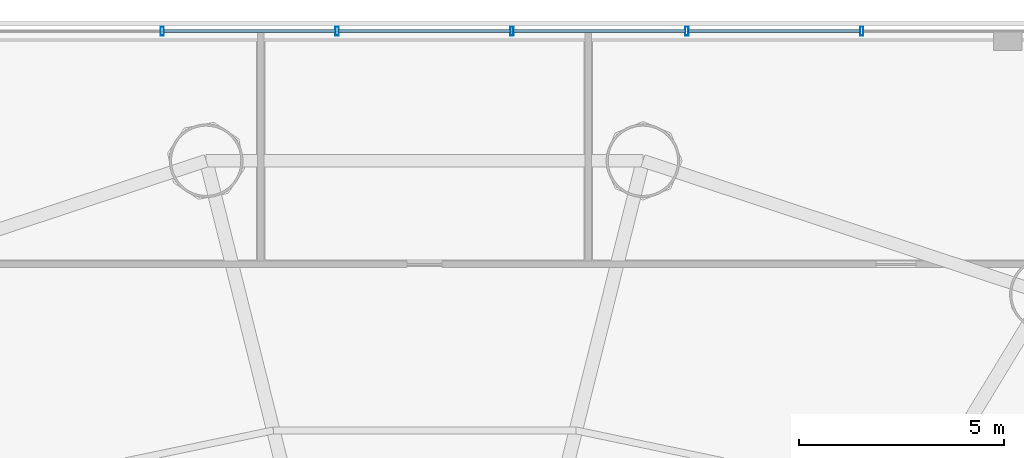
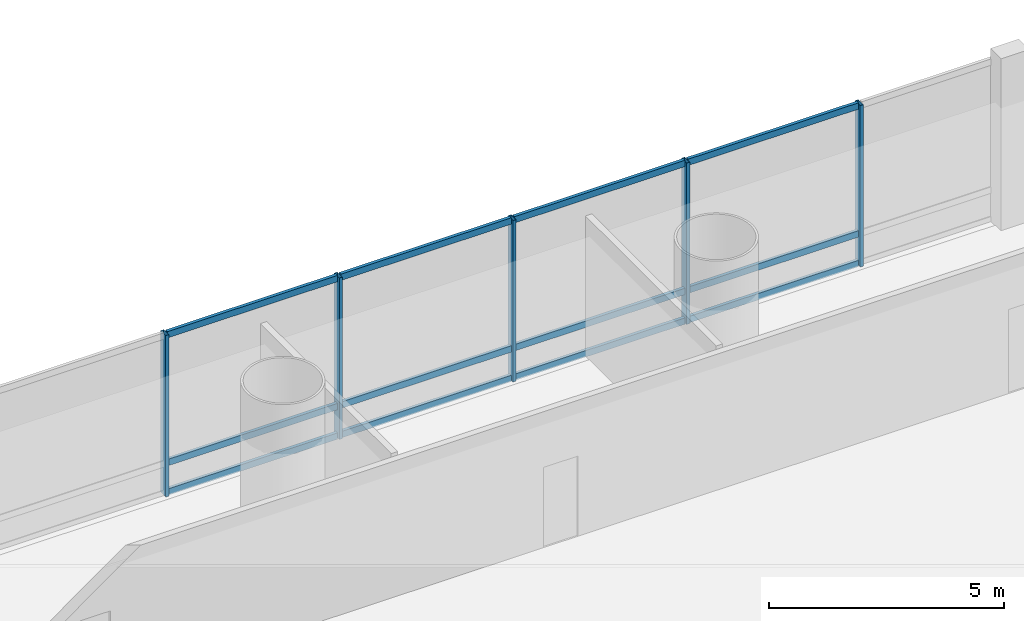
# One storey, part 14 of 36: 17 members, 1 element without a shape of its own.
"""IFC4 building model written with IfcOpenShell, lengths in metres."""

from ifc_helpers import new_model, si_unit, direction, frame, origin, origin_2d, place, context, subcontext, project, spatial, hollow_rectangle, extrude, source, transform, mapped, material, material_profile, profile_set, type_object, element, aggregate, save


model = new_model("IFC4")

# Units and contexts
model_context = context("Model", 3, precision=1e-05, world=origin(), true_north=direction((-0.2419218956, 0.970295726276)))
body_context = subcontext(model_context, "Body", "Model", "MODEL_VIEW")
ifc_project = project(units=[si_unit("LENGTHUNIT", "METRE"), si_unit("AREAUNIT", "SQUARE_METRE"), si_unit("VOLUMEUNIT", "CUBIC_METRE"), si_unit("PLANEANGLEUNIT", "RADIAN"), si_unit("MASSUNIT", "GRAM", prefix="KILO")], contexts=[model_context])

# Site, building, storey
site_placement = place(None, origin())
site = spatial("IfcSite", under=ifc_project, at=site_placement, CompositionType="ELEMENT")
building_placement = place(site_placement, origin())
building = spatial("IfcBuilding", under=site, at=building_placement, Name="Cobrevalo Terracotta Tower", CompositionType="ELEMENT")
storey_placement = place(building_placement, frame((0.0, 0.0, 5.39990234375)))
storey = spatial("IfcBuildingStorey", under=building, at=storey_placement, Name="L01", CompositionType="ELEMENT", Elevation=5.39990234375)

# Curtain wall, members
ifc_material = material(Name="Anodized aluminium", Category="aluminium")
curtain_wall_type = type_object("IfcCurtainWallType", Name="Double-height storefront stick curtain wall CW-S1", PredefinedType="NOTDEFINED", material=ifc_material)
curtain_wall_placement = place(storey_placement, origin())
curtain_wall = element("IfcCurtainWall", 1, at=curtain_wall_placement, inside=storey, type_object=curtain_wall_type, Name="L01 curtain wall CW-POD-L01-N", PredefinedType="NOTDEFINED")
ifc_material_profile_1 = material_profile(ifc_material, hollow_rectangle(XDim=0.080078125, YDim=0.219970703125, WallThickness=0.0048828125, at=origin_2d()), Name="CWM 80x220")
ifc_profile_set_1 = profile_set([ifc_material_profile_1], Name="Anodized aluminium")
member_type_1 = type_object("IfcMemberType", Name="Storefront & atrium aluminium mullion 80x220", PredefinedType="MULLION", material=ifc_profile_set_1)
shared_shape_1 = source(origin(), body_context, "Body", "SweptSolid", [
    extrude(hollow_rectangle(XDim=0.080078125, YDim=0.219970703125, WallThickness=0.0048828125, at=origin_2d()), origin(), (0.0, 0.0, 1.0), 4.2001953125),
])
member_1_placement = place(storey_placement, frame((48.683349609375, 51.39990234375, 0.0), z_axis=(0.0, 0.0, 1.0), x_axis=(-1.0, 0.0, 0.0)))
member_1 = element("IfcMember", 2, at=member_1_placement, type_object=member_type_1, Name="CW-POD-L01-N vertical mullion 06", PredefinedType="MULLION", context=body_context, shape_type="MappedRepresentation", body=[
    mapped(shared_shape_1, transform((0.0, 0.0, 0.0), scale=1.0)),
])
member_2_placement = place(storey_placement, frame((44.409912109375, 51.39990234375, 0.0), z_axis=(0.0, 0.0, 1.0), x_axis=(-1.0, 0.0, 0.0)))
member_2 = element("IfcMember", 3, at=member_2_placement, type_object=member_type_1, Name="CW-POD-L01-N vertical mullion 07", PredefinedType="MULLION", context=body_context, shape_type="MappedRepresentation", body=[
    mapped(shared_shape_1, transform((0.0, 0.0, 0.0), scale=1.0)),
])
member_3_placement = place(storey_placement, frame((40.13671875, 51.39990234375, 0.0), z_axis=(0.0, 0.0, 1.0), x_axis=(-1.0, 0.0, 0.0)))
member_3 = element("IfcMember", 4, at=member_3_placement, type_object=member_type_1, Name="CW-POD-L01-N vertical mullion 08", PredefinedType="MULLION", context=body_context, shape_type="MappedRepresentation", body=[
    mapped(shared_shape_1, transform((0.0, 0.0, 0.0), scale=1.0)),
])
member_4_placement = place(storey_placement, frame((35.86328125, 51.39990234375, 0.0), z_axis=(0.0, 0.0, 1.0), x_axis=(-1.0, 0.0, 0.0)))
member_4 = element("IfcMember", 5, at=member_4_placement, type_object=member_type_1, Name="CW-POD-L01-N vertical mullion 09", PredefinedType="MULLION", context=body_context, shape_type="MappedRepresentation", body=[
    mapped(shared_shape_1, transform((0.0, 0.0, 0.0), scale=1.0)),
])
member_5_placement = place(storey_placement, frame((31.590087890625, 51.39990234375, 0.0), z_axis=(0.0, 0.0, 1.0), x_axis=(-1.0, 0.0, 0.0)))
member_5 = element("IfcMember", 6, at=member_5_placement, type_object=member_type_1, Name="CW-POD-L01-N vertical mullion 10", PredefinedType="MULLION", context=body_context, shape_type="MappedRepresentation", body=[
    mapped(shared_shape_1, transform((0.0, 0.0, 0.0), scale=1.0)),
])
ifc_material_profile_2 = material_profile(ifc_material, hollow_rectangle(XDim=0.080078125, YDim=0.1650390625, WallThickness=0.00439453125, at=origin_2d()), Name="CWT 80x165")
ifc_profile_set_2 = profile_set([ifc_material_profile_2], Name="Anodized aluminium")
member_type_2 = type_object("IfcMemberType", Name="Storefront & atrium aluminium transom 80x165", PredefinedType="USERDEFINED", material=ifc_profile_set_2)
shared_shape_2 = source(origin(), body_context, "Body", "SweptSolid", [
    extrude(hollow_rectangle(XDim=0.080078125, YDim=0.1650390625, WallThickness=0.00439453125, at=origin_2d()), origin(), (0.0, 0.0, 1.0), 4.193359375),
])
member_6_placement = place(storey_placement, frame((48.643310546875, 51.39990234375, 0.050048828125), z_axis=(-1.0, 0.0, 0.0), x_axis=(0.0, -1.0, 0.0)))
member_6 = element("IfcMember", 7, at=member_6_placement, type_object=member_type_2, Name="CW-POD-L01-N transom B06-T1", ObjectType="TRANSOM", PredefinedType="USERDEFINED", context=body_context, shape_type="MappedRepresentation", body=[
    mapped(shared_shape_2, transform((0.0, 0.0, 0.0), scale=1.0)),
])
member_7_placement = place(storey_placement, frame((48.643310546875, 51.39990234375, 0.820068359375), z_axis=(-1.0, 0.0, 0.0), x_axis=(0.0, -1.0, 0.0)))
member_7 = element("IfcMember", 8, at=member_7_placement, type_object=member_type_2, Name="CW-POD-L01-N transom B06-T2", ObjectType="TRANSOM", PredefinedType="USERDEFINED", context=body_context, shape_type="MappedRepresentation", body=[
    mapped(shared_shape_2, transform((0.0, 0.0, 0.0), scale=1.0)),
])
member_8_placement = place(storey_placement, frame((48.643310546875, 51.39990234375, 4.150146484375), z_axis=(-1.0, 0.0, 0.0), x_axis=(0.0, -1.0, 0.0)))
member_8 = element("IfcMember", 9, at=member_8_placement, type_object=member_type_2, Name="CW-POD-L01-N transom B06-T3", ObjectType="TRANSOM", PredefinedType="USERDEFINED", context=body_context, shape_type="MappedRepresentation", body=[
    mapped(shared_shape_2, transform((0.0, 0.0, 0.0), scale=1.0)),
])
member_9_placement = place(storey_placement, frame((44.3701171875, 51.39990234375, 0.050048828125), z_axis=(-1.0, 0.0, 0.0), x_axis=(0.0, -1.0, 0.0)))
member_9 = element("IfcMember", 10, at=member_9_placement, type_object=member_type_2, Name="CW-POD-L01-N transom B07-T1", ObjectType="TRANSOM", PredefinedType="USERDEFINED", context=body_context, shape_type="MappedRepresentation", body=[
    mapped(shared_shape_2, transform((0.0, 0.0, 0.0), scale=1.0)),
])
member_10_placement = place(storey_placement, frame((44.3701171875, 51.39990234375, 0.820068359375), z_axis=(-1.0, 0.0, 0.0), x_axis=(0.0, -1.0, 0.0)))
member_10 = element("IfcMember", 11, at=member_10_placement, type_object=member_type_2, Name="CW-POD-L01-N transom B07-T2", ObjectType="TRANSOM", PredefinedType="USERDEFINED", context=body_context, shape_type="MappedRepresentation", body=[
    mapped(shared_shape_2, transform((0.0, 0.0, 0.0), scale=1.0)),
])
member_11_placement = place(storey_placement, frame((44.3701171875, 51.39990234375, 4.150146484375), z_axis=(-1.0, 0.0, 0.0), x_axis=(0.0, -1.0, 0.0)))
member_11 = element("IfcMember", 12, at=member_11_placement, type_object=member_type_2, Name="CW-POD-L01-N transom B07-T3", ObjectType="TRANSOM", PredefinedType="USERDEFINED", context=body_context, shape_type="MappedRepresentation", body=[
    mapped(shared_shape_2, transform((0.0, 0.0, 0.0), scale=1.0)),
])
member_12_placement = place(storey_placement, frame((40.0966796875, 51.39990234375, 0.050048828125), z_axis=(-1.0, 0.0, 0.0), x_axis=(0.0, -1.0, 0.0)))
member_12 = element("IfcMember", 13, at=member_12_placement, type_object=member_type_2, Name="CW-POD-L01-N transom B08-T1", ObjectType="TRANSOM", PredefinedType="USERDEFINED", context=body_context, shape_type="MappedRepresentation", body=[
    mapped(shared_shape_2, transform((0.0, 0.0, 0.0), scale=1.0)),
])
member_13_placement = place(storey_placement, frame((40.0966796875, 51.39990234375, 0.820068359375), z_axis=(-1.0, 0.0, 0.0), x_axis=(0.0, -1.0, 0.0)))
member_13 = element("IfcMember", 14, at=member_13_placement, type_object=member_type_2, Name="CW-POD-L01-N transom B08-T2", ObjectType="TRANSOM", PredefinedType="USERDEFINED", context=body_context, shape_type="MappedRepresentation", body=[
    mapped(shared_shape_2, transform((0.0, 0.0, 0.0), scale=1.0)),
])
member_14_placement = place(storey_placement, frame((40.0966796875, 51.39990234375, 4.150146484375), z_axis=(-1.0, 0.0, 0.0), x_axis=(0.0, -1.0, 0.0)))
member_14 = element("IfcMember", 15, at=member_14_placement, type_object=member_type_2, Name="CW-POD-L01-N transom B08-T3", ObjectType="TRANSOM", PredefinedType="USERDEFINED", context=body_context, shape_type="MappedRepresentation", body=[
    mapped(shared_shape_2, transform((0.0, 0.0, 0.0), scale=1.0)),
])
member_15_placement = place(storey_placement, frame((35.8232421875, 51.39990234375, 0.050048828125), z_axis=(-1.0, 0.0, 0.0), x_axis=(0.0, -1.0, 0.0)))
member_15 = element("IfcMember", 16, at=member_15_placement, type_object=member_type_2, Name="CW-POD-L01-N transom B09-T1", ObjectType="TRANSOM", PredefinedType="USERDEFINED", context=body_context, shape_type="MappedRepresentation", body=[
    mapped(shared_shape_2, transform((0.0, 0.0, 0.0), scale=1.0)),
])
member_16_placement = place(storey_placement, frame((35.8232421875, 51.39990234375, 0.820068359375), z_axis=(-1.0, 0.0, 0.0), x_axis=(0.0, -1.0, 0.0)))
member_16 = element("IfcMember", 17, at=member_16_placement, type_object=member_type_2, Name="CW-POD-L01-N transom B09-T2", ObjectType="TRANSOM", PredefinedType="USERDEFINED", context=body_context, shape_type="MappedRepresentation", body=[
    mapped(shared_shape_2, transform((0.0, 0.0, 0.0), scale=1.0)),
])
member_17_placement = place(storey_placement, frame((35.8232421875, 51.39990234375, 4.150146484375), z_axis=(-1.0, 0.0, 0.0), x_axis=(0.0, -1.0, 0.0)))
member_17 = element("IfcMember", 18, at=member_17_placement, type_object=member_type_2, Name="CW-POD-L01-N transom B09-T3", ObjectType="TRANSOM", PredefinedType="USERDEFINED", context=body_context, shape_type="MappedRepresentation", body=[
    mapped(shared_shape_2, transform((0.0, 0.0, 0.0), scale=1.0)),
])
aggregate(curtain_wall, [member_1, member_2, member_3, member_4, member_5, member_6, member_7, member_8, member_9, member_10, member_11, member_12, member_13, member_14, member_15, member_16, member_17])

save(model, "model.ifc")
